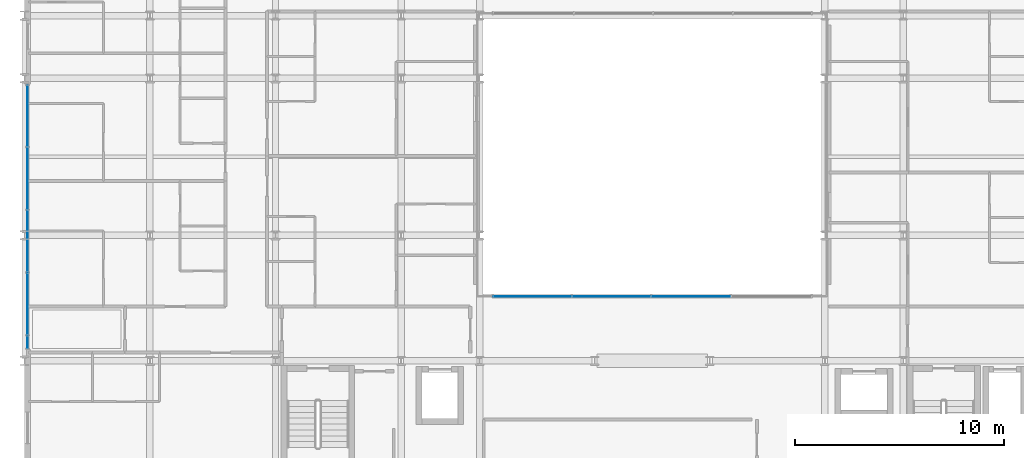
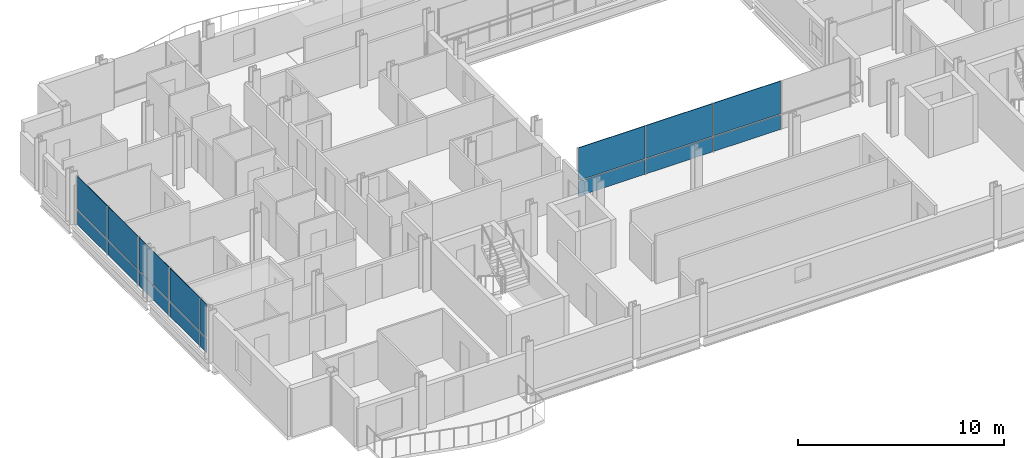
# One storey, part 26 of 41: 16 plates, 2 elements without a shape of their own.
"""IFC4 building model written with IfcOpenShell, lengths in metres."""

from ifc_helpers import new_model, si_unit, direction, frame, origin, origin_2d, place, context, subcontext, project, spatial, rectangle, extrude, material, layer, layer_set, type_object, element, aggregate, save


model = new_model("IFC4")

# Units and contexts
model_context = context("Model", 3, precision=1e-05, world=origin(), true_north=direction((0.0, 1.0)))
body_context = subcontext(model_context, "Body", "Model", "MODEL_VIEW")
ifc_project = project(units=[si_unit("LENGTHUNIT", "METRE"), si_unit("AREAUNIT", "SQUARE_METRE"), si_unit("VOLUMEUNIT", "CUBIC_METRE"), si_unit("PLANEANGLEUNIT", "RADIAN"), si_unit("MASSUNIT", "GRAM", prefix="KILO")], contexts=[model_context])

# Site, building, storey
site_placement = place(None, origin())
site = spatial("IfcSite", under=ifc_project, at=site_placement, CompositionType="ELEMENT")
building_placement = place(site_placement, origin())
building = spatial("IfcBuilding", under=site, at=building_placement, Name="Brevholm Reach", CompositionType="ELEMENT")
storey_placement = place(building_placement, frame((0.0, 0.0, 86.89990234375)))
storey = spatial("IfcBuildingStorey", under=building, at=storey_placement, Name="L25", CompositionType="ELEMENT", Elevation=86.89990234375)

# Curtain wall, plates
ifc_material_1 = material(Name="Dark Anodised Aluminium 6063-T6 and Solar-Control Glass", Category="aluminium")
ifc_layer_1 = layer(ifc_material_1, 0.14990234375)
ifc_layer_set_1 = layer_set([ifc_layer_1], Name="Dark Anodised Aluminium 6063-T6 and Solar-Control Glass")
curtain_wall_type_1 = type_object("IfcCurtainWallType", Name="CW-01", PredefinedType="NOTDEFINED", material=ifc_layer_set_1)
curtain_wall_1_placement = place(storey_placement, origin())
curtain_wall_1 = element("IfcCurtainWall", 1, at=curtain_wall_1_placement, inside=storey, type_object=curtain_wall_type_1, Name="L25 Curtain Wall CW-01", PredefinedType="NOTDEFINED")
ifc_material_2 = material(Name="Dark Solar-Control Double-Glazed IGU Glass", Category="glass")
ifc_layer_2 = layer(ifc_material_2, 0.028076171875)
ifc_layer_set_2 = layer_set([ifc_layer_2], Name="Dark Solar-Control Double-Glazed IGU Glass")
plate_type_1 = type_object("IfcPlateType", Name="CWP-GLZ-28", PredefinedType="CURTAIN_PANEL", material=ifc_layer_set_2)
plate_1_placement = place(storey_placement, frame((0.14990234375, 21.703857421875, 0.0), z_axis=(0.0, 0.0, 1.0), x_axis=(0.0, -1.0, 0.0)))
plate_1 = element("IfcPlate", 2, at=plate_1_placement, type_object=plate_type_1, Name="CP-01 Glazing Panel 1.1", PredefinedType="CURTAIN_PANEL", context=body_context, shape_type="SweptSolid", body=[
    extrude(rectangle(XDim=2.902587890625, YDim=0.028076171875, at=origin_2d()), origin(), (0.0, 0.0, 1.0), 0.867431640625),
])
plate_2_placement = place(storey_placement, frame((0.14990234375, 21.703857421875, 0.9326171875), z_axis=(0.0, 0.0, 1.0), x_axis=(0.0, -1.0, 0.0)))
plate_2 = element("IfcPlate", 3, at=plate_2_placement, type_object=plate_type_1, Name="CP-01 Glazing Panel 1.2", PredefinedType="CURTAIN_PANEL", context=body_context, shape_type="SweptSolid", body=[
    extrude(rectangle(XDim=2.902587890625, YDim=0.028076171875, at=origin_2d()), origin(), (0.0, 0.0, 1.0), 1.9375),
])
plate_3_placement = place(storey_placement, frame((0.14990234375, 18.719970703125, 0.0), z_axis=(0.0, 0.0, 1.0), x_axis=(0.0, -1.0, 0.0)))
plate_3 = element("IfcPlate", 4, at=plate_3_placement, type_object=plate_type_1, Name="CP-01 Glazing Panel 2.1", PredefinedType="CURTAIN_PANEL", context=body_context, shape_type="SweptSolid", body=[
    extrude(rectangle(XDim=2.93505859375, YDim=0.028076171875, at=origin_2d()), origin(), (0.0, 0.0, 1.0), 0.867431640625),
])
plate_4_placement = place(storey_placement, frame((0.14990234375, 18.719970703125, 0.9326171875), z_axis=(0.0, 0.0, 1.0), x_axis=(0.0, -1.0, 0.0)))
plate_4 = element("IfcPlate", 5, at=plate_4_placement, type_object=plate_type_1, Name="CP-01 Glazing Panel 2.2", PredefinedType="CURTAIN_PANEL", context=body_context, shape_type="SweptSolid", body=[
    extrude(rectangle(XDim=2.93505859375, YDim=0.028076171875, at=origin_2d()), origin(), (0.0, 0.0, 1.0), 1.9375),
])
plate_5_placement = place(storey_placement, frame((0.14990234375, 15.719970703125, 0.0), z_axis=(0.0, 0.0, 1.0), x_axis=(0.0, -1.0, 0.0)))
plate_5 = element("IfcPlate", 6, at=plate_5_placement, type_object=plate_type_1, Name="CP-01 Glazing Panel 3.1", PredefinedType="CURTAIN_PANEL", context=body_context, shape_type="SweptSolid", body=[
    extrude(rectangle(XDim=2.93505859375, YDim=0.028076171875, at=origin_2d()), origin(), (0.0, 0.0, 1.0), 0.867431640625),
])
plate_6_placement = place(storey_placement, frame((0.14990234375, 15.719970703125, 0.9326171875), z_axis=(0.0, 0.0, 1.0), x_axis=(0.0, -1.0, 0.0)))
plate_6 = element("IfcPlate", 7, at=plate_6_placement, type_object=plate_type_1, Name="CP-01 Glazing Panel 3.2", PredefinedType="CURTAIN_PANEL", context=body_context, shape_type="SweptSolid", body=[
    extrude(rectangle(XDim=2.93505859375, YDim=0.028076171875, at=origin_2d()), origin(), (0.0, 0.0, 1.0), 1.9375),
])
plate_7_placement = place(storey_placement, frame((0.14990234375, 12.719970703125, 0.0), z_axis=(0.0, 0.0, 1.0), x_axis=(0.0, -1.0, 0.0)))
plate_7 = element("IfcPlate", 8, at=plate_7_placement, type_object=plate_type_1, Name="CP-01 Glazing Panel 4.1", PredefinedType="CURTAIN_PANEL", context=body_context, shape_type="SweptSolid", body=[
    extrude(rectangle(XDim=2.93505859375, YDim=0.028076171875, at=origin_2d()), origin(), (0.0, 0.0, 1.0), 0.867431640625),
])
plate_8_placement = place(storey_placement, frame((0.14990234375, 12.719970703125, 0.9326171875), z_axis=(0.0, 0.0, 1.0), x_axis=(0.0, -1.0, 0.0)))
plate_8 = element("IfcPlate", 9, at=plate_8_placement, type_object=plate_type_1, Name="CP-01 Glazing Panel 4.2", PredefinedType="CURTAIN_PANEL", context=body_context, shape_type="SweptSolid", body=[
    extrude(rectangle(XDim=2.93505859375, YDim=0.028076171875, at=origin_2d()), origin(), (0.0, 0.0, 1.0), 1.9375),
])
plate_9_placement = place(storey_placement, frame((0.14990234375, 10.9013671875, 0.0), z_axis=(0.0, 0.0, 1.0), x_axis=(0.0, -1.0, 0.0)))
plate_9 = element("IfcPlate", 10, at=plate_9_placement, type_object=plate_type_1, Name="CP-01 Glazing Panel 5.1", PredefinedType="CURTAIN_PANEL", context=body_context, shape_type="SweptSolid", body=[
    extrude(rectangle(XDim=0.572509765625, YDim=0.028076171875, at=origin_2d()), origin(), (0.0, 0.0, 1.0), 0.867431640625),
])
plate_10_placement = place(storey_placement, frame((0.14990234375, 10.9013671875, 0.9326171875), z_axis=(0.0, 0.0, 1.0), x_axis=(0.0, -1.0, 0.0)))
plate_10 = element("IfcPlate", 11, at=plate_10_placement, type_object=plate_type_1, Name="CP-01 Glazing Panel 5.2", PredefinedType="CURTAIN_PANEL", context=body_context, shape_type="SweptSolid", body=[
    extrude(rectangle(XDim=0.572509765625, YDim=0.028076171875, at=origin_2d()), origin(), (0.0, 0.0, 1.0), 1.9375),
])
aggregate(curtain_wall_1, [plate_1, plate_2, plate_3, plate_4, plate_5, plate_6, plate_7, plate_8, plate_9, plate_10])

ifc_material_3 = material(Name="Dark Anodised Aluminium 6063-T6 and Solar-Control Glass", Category="aluminium")
ifc_layer_3 = layer(ifc_material_3, 0.139892578125)
ifc_layer_set_3 = layer_set([ifc_layer_3], Name="Dark Anodised Aluminium 6063-T6 and Solar-Control Glass")
curtain_wall_type_2 = type_object("IfcCurtainWallType", Name="CW-02", PredefinedType="NOTDEFINED", material=ifc_layer_set_3)
curtain_wall_2_placement = place(storey_placement, origin())
curtain_wall_2 = element("IfcCurtainWall", 12, at=curtain_wall_2_placement, inside=storey, type_object=curtain_wall_type_2, Name="L25 Curtain Wall CW-02", PredefinedType="NOTDEFINED")
ifc_material_4 = material(Name="Low-Iron Laminated Acoustic Glass", Category="glass")
ifc_layer_4 = layer(ifc_material_4, 0.035888671875)
ifc_layer_set_4 = layer_set([ifc_layer_4], Name="Low-Iron Laminated Acoustic Glass")
plate_type_2 = type_object("IfcPlateType", Name="CWP-GLZ-36", PredefinedType="CURTAIN_PANEL", material=ifc_layer_set_4)
plate_11_placement = place(storey_placement, frame((24.264892578125, 13.080078125, 0.0), z_axis=(0.0, 0.0, 1.0), x_axis=(1.0, 0.0, 0.0)))
plate_11 = element("IfcPlate", 13, at=plate_11_placement, type_object=plate_type_2, Name="CP-02 Glazing Panel 1.1", PredefinedType="CURTAIN_PANEL", context=body_context, shape_type="SweptSolid", body=[
    extrude(rectangle(XDim=3.7099609375, YDim=0.035888671875, at=origin_2d()), origin(), (0.0, 0.0, 1.0), 0.8701171875),
])
plate_12_placement = place(storey_placement, frame((24.264892578125, 13.080078125, 0.93017578125), z_axis=(0.0, 0.0, 1.0), x_axis=(1.0, 0.0, 0.0)))
plate_12 = element("IfcPlate", 14, at=plate_12_placement, type_object=plate_type_2, Name="CP-02 Glazing Panel 1.2", PredefinedType="CURTAIN_PANEL", context=body_context, shape_type="SweptSolid", body=[
    extrude(rectangle(XDim=3.7099609375, YDim=0.035888671875, at=origin_2d()), origin(), (0.0, 0.0, 1.0), 1.93994140625),
])
plate_13_placement = place(storey_placement, frame((28.050048828125, 13.080078125, 0.0), z_axis=(0.0, 0.0, 1.0), x_axis=(1.0, 0.0, 0.0)))
plate_13 = element("IfcPlate", 15, at=plate_13_placement, type_object=plate_type_2, Name="CP-02 Glazing Panel 2.1", PredefinedType="CURTAIN_PANEL", context=body_context, shape_type="SweptSolid", body=[
    extrude(rectangle(XDim=3.739990234375, YDim=0.035888671875, at=origin_2d()), origin(), (0.0, 0.0, 1.0), 0.8701171875),
])
plate_14_placement = place(storey_placement, frame((28.050048828125, 13.080078125, 0.93017578125), z_axis=(0.0, 0.0, 1.0), x_axis=(1.0, 0.0, 0.0)))
plate_14 = element("IfcPlate", 16, at=plate_14_placement, type_object=plate_type_2, Name="CP-02 Glazing Panel 2.2", PredefinedType="CURTAIN_PANEL", context=body_context, shape_type="SweptSolid", body=[
    extrude(rectangle(XDim=3.739990234375, YDim=0.035888671875, at=origin_2d()), origin(), (0.0, 0.0, 1.0), 1.93994140625),
])
plate_15_placement = place(storey_placement, frame((31.85009765625, 13.080078125, 0.0), z_axis=(0.0, 0.0, 1.0), x_axis=(1.0, 0.0, 0.0)))
plate_15 = element("IfcPlate", 17, at=plate_15_placement, type_object=plate_type_2, Name="CP-02 Glazing Panel 3.1", PredefinedType="CURTAIN_PANEL", context=body_context, shape_type="SweptSolid", body=[
    extrude(rectangle(XDim=3.739990234375, YDim=0.035888671875, at=origin_2d()), origin(), (0.0, 0.0, 1.0), 0.8701171875),
])
plate_16_placement = place(storey_placement, frame((31.85009765625, 13.080078125, 0.93017578125), z_axis=(0.0, 0.0, 1.0), x_axis=(1.0, 0.0, 0.0)))
plate_16 = element("IfcPlate", 18, at=plate_16_placement, type_object=plate_type_2, Name="CP-02 Glazing Panel 3.2", PredefinedType="CURTAIN_PANEL", context=body_context, shape_type="SweptSolid", body=[
    extrude(rectangle(XDim=3.739990234375, YDim=0.035888671875, at=origin_2d()), origin(), (0.0, 0.0, 1.0), 1.93994140625),
])
aggregate(curtain_wall_2, [plate_11, plate_12, plate_13, plate_14, plate_15, plate_16])

save(model, "model.ifc")
